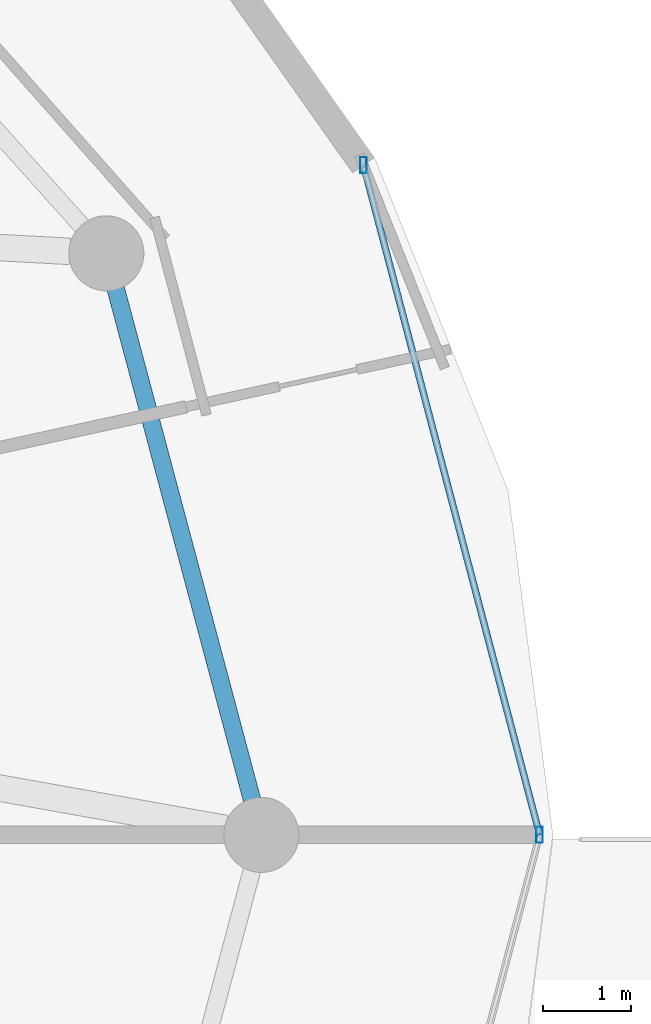
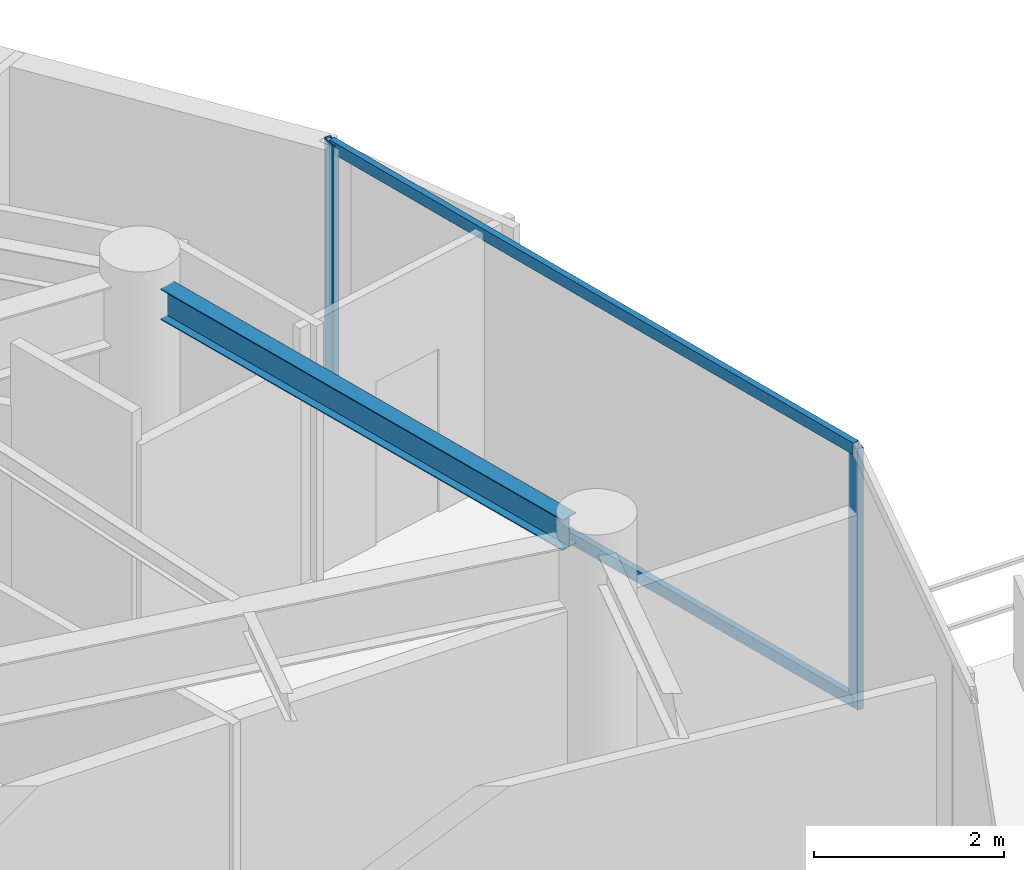
# One storey, part 14 of 29: 4 members, 1 beam, 1 element without a shape of its own.
"""IFC4 building model written with IfcOpenShell, lengths in metres."""

from ifc_helpers import new_model, si_unit, direction, frame, origin, origin_2d, place, context, subcontext, project, spatial, hollow_rectangle, i_section, extrude, material, material_profile, profile_set, type_object, element, aggregate, save


model = new_model("IFC4")

# Units and contexts
model_context = context("Model", 3, precision=1e-05, world=origin(), true_north=direction((0.0, 1.0)))
body_context = subcontext(model_context, "Body", "Model", "MODEL_VIEW")
ifc_project = project(units=[si_unit("LENGTHUNIT", "METRE"), si_unit("AREAUNIT", "SQUARE_METRE"), si_unit("VOLUMEUNIT", "CUBIC_METRE"), si_unit("PLANEANGLEUNIT", "RADIAN"), si_unit("MASSUNIT", "GRAM", prefix="KILO")], contexts=[model_context])

# Site, building, storey
site_placement = place(None, origin())
site = spatial("IfcSite", under=ifc_project, at=site_placement, CompositionType="ELEMENT")
building_placement = place(site_placement, origin())
building = spatial("IfcBuilding", under=site, at=building_placement, Name="Vorneva Point Tower", CompositionType="ELEMENT")
storey_placement = place(building_placement, frame((0.0, 0.0, 259.10009765625)))
storey = spatial("IfcBuildingStorey", under=building, at=storey_placement, Name="L70", CompositionType="ELEMENT", Elevation=259.10009765625)

# Beam
ifc_material_1 = material(Name="Steel S355", Category="steel")
ifc_material_profile_1 = material_profile(ifc_material_1, i_section(OverallWidth=0.198974609375, OverallDepth=0.39599609375, WebThickness=0.007080078125, FlangeThickness=0.010986328125, at=origin_2d()), Name="40B1")
ifc_profile_set_1 = profile_set([ifc_material_profile_1], Name="Steel S355")
beam_type = type_object("IfcBeamType", Name="BM-SPN-40B1", PredefinedType="SPANDREL", material=ifc_profile_set_1)
beam_placement = place(storey_placement, frame((60.9443359375, 26.396240234375, 3.091796875), z_axis=(-0.257586570866, 0.966255224312, 0.0), x_axis=(-0.966255224312, -0.257586570866, 0.0)))
element("IfcBeam", 1, at=beam_placement, inside=storey, type_object=beam_type, Name="L70 Perimeter Spandrel Ring Beam 01", PredefinedType="SPANDREL", context=body_context, shape_type="SweptSolid", body=[
    extrude(i_section(OverallWidth=0.198974609375, OverallDepth=0.39599609375, WebThickness=0.007080078125, FlangeThickness=0.010986328125, at=origin_2d()), origin(), (0.0, 0.0, 1.0), 5.991943359375),
])

# Curtain wall, members
ifc_material_2 = material(Name="Pale anodised aluminium", Category="aluminium")
curtain_wall_type = type_object("IfcCurtainWallType", Name="CW-RES-SYS", PredefinedType="NOTDEFINED", material=ifc_material_2)
curtain_wall_placement = place(storey_placement, origin())
curtain_wall = element("IfcCurtainWall", 2, at=curtain_wall_placement, inside=storey, type_object=curtain_wall_type, Name="L70 Unitised Curtain Wall CW-L70-R01", PredefinedType="NOTDEFINED")
ifc_material_profile_2 = material_profile(ifc_material_2, hollow_rectangle(XDim=0.074951171875, YDim=0.179931640625, WallThickness=0.00390625, at=origin_2d()), Name="AL-MUL 180x75x4")
ifc_profile_set_2 = profile_set([ifc_material_profile_2], Name="Pale anodised aluminium")
member_type_1 = type_object("IfcMemberType", Name="CW-MUL-180", PredefinedType="MULLION", material=ifc_profile_set_2)
member_1_placement = place(storey_placement, frame((64.199951171875, 26.0, -0.0400390625), z_axis=(0.0, 0.0, 1.0), x_axis=(1.0, 0.0, 0.0)))
member_1 = element("IfcMember", 3, at=member_1_placement, type_object=member_type_1, Name="CW-L70-R01 Mullion 02", PredefinedType="MULLION", context=body_context, shape_type="SweptSolid", body=[
    extrude(hollow_rectangle(XDim=0.074951171875, YDim=0.179931640625, WallThickness=0.00390625, at=origin_2d()), origin(), (0.0, 0.0, 1.0), 3.35986328125),
])
member_2_placement = place(storey_placement, frame((62.20556640625, 33.5810546875, -0.0400390625), z_axis=(0.0, 0.0, 1.0), x_axis=(1.0, 0.0, 0.0)))
member_2 = element("IfcMember", 4, at=member_2_placement, type_object=member_type_1, Name="CW-L70-R01 Mullion 03", PredefinedType="MULLION", context=body_context, shape_type="SweptSolid", body=[
    extrude(hollow_rectangle(XDim=0.074951171875, YDim=0.179931640625, WallThickness=0.00390625, at=origin_2d()), origin(), (0.0, 0.0, 1.0), 3.35986328125),
])
ifc_material_profile_3 = material_profile(ifc_material_2, hollow_rectangle(XDim=0.074951171875, YDim=0.14990234375, WallThickness=0.00390625, at=origin_2d()), Name="AL-TRN 150x75x4")
ifc_profile_set_3 = profile_set([ifc_material_profile_3], Name="Pale anodised aluminium")
member_type_2 = type_object("IfcMemberType", Name="CW-TRN-150", PredefinedType="USERDEFINED", material=ifc_profile_set_3)
member_3_placement = place(storey_placement, frame((64.199951171875, 26.0, 0.02001953125), z_axis=(-0.254418180926, 0.967094302131, 0.0), x_axis=(-0.967094302131, -0.254418180926, 0.0)))
member_3 = element("IfcMember", 5, at=member_3_placement, type_object=member_type_2, Name="CW-L70-R01 Transom 02.1", ObjectType="TRANSOM", PredefinedType="USERDEFINED", context=body_context, shape_type="SweptSolid", body=[
    extrude(hollow_rectangle(XDim=0.074951171875, YDim=0.14990234375, WallThickness=0.00390625, at=origin_2d()), origin(), (0.0, 0.0, 1.0), 7.839111328125),
])
member_4_placement = place(storey_placement, frame((64.199951171875, 26.0, 3.27001953125), z_axis=(-0.254418180926, 0.967094302131, 0.0), x_axis=(-0.967094302131, -0.254418180926, 0.0)))
member_4 = element("IfcMember", 6, at=member_4_placement, type_object=member_type_2, Name="CW-L70-R01 Transom 02.2", ObjectType="TRANSOM", PredefinedType="USERDEFINED", context=body_context, shape_type="SweptSolid", body=[
    extrude(hollow_rectangle(XDim=0.074951171875, YDim=0.14990234375, WallThickness=0.00390625, at=origin_2d()), origin(), (0.0, 0.0, 1.0), 7.839111328125),
])
aggregate(curtain_wall, [member_1, member_2, member_3, member_4])

save(model, "model.ifc")
